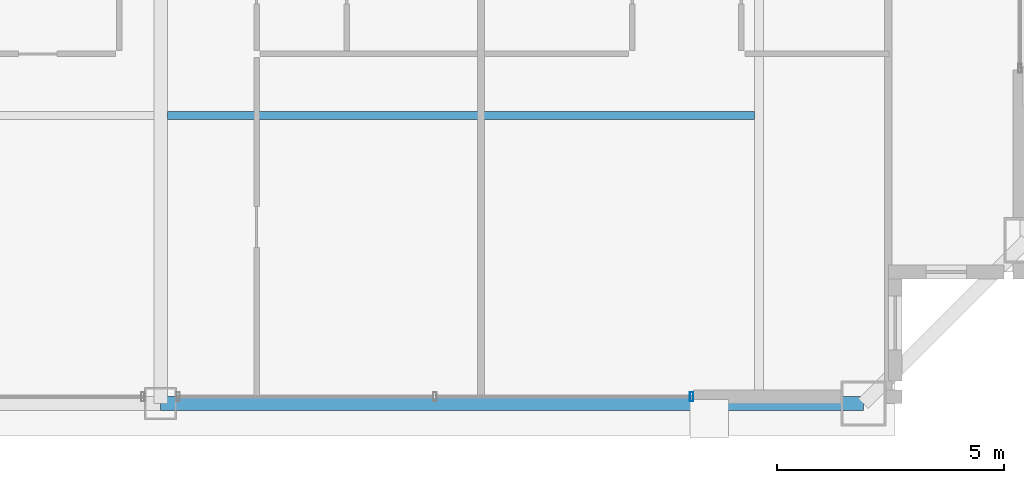
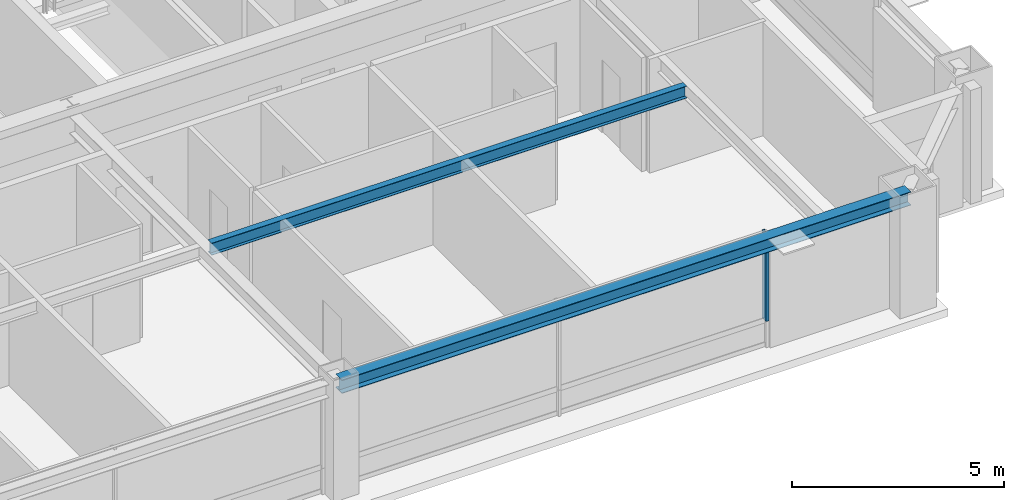
# One storey, part 9 of 35: 2 beams, 1 member, 1 element without a shape of its own.
"""IFC4 building model written with IfcOpenShell, lengths in metres."""

import ifcopenshell
import ifcopenshell.guid

model = None  # the IFC model being written
_history = None  # IfcOwnerHistory: only IFC2X3 demands one
_inside = {}  # id of a spatial element -> (the spatial element, [elements in it])
_under = {}  # id of a project, library or spatial element -> (it, [spatial elements below it])
_declared = {}  # id of a project -> (the project, [libraries it declares])
_typed = {}  # id of a type object -> (the type object, [elements of that type])
_made_of = {}  # id of a material, layer set ... -> (it, [elements and type objects made of it])


def new_model(schema):
    """Start an empty IFC model of exactly this schema.

    Asked for "IFC4X3", IfcOpenShell would pick the latest addendum, in which some entities
    have other attributes; the version numbers below select the first issue.
    IFC2X3 requires an IfcOwnerHistory on every rooted entity: one is made here for all.
    """
    global model, _history
    if schema == "IFC4X3":
        model = ifcopenshell.file(schema_version=(4, 3, 0, 0))
    else:
        model = ifcopenshell.file(schema=schema)
    _inside.clear()
    _under.clear()
    _declared.clear()
    _typed.clear()
    _made_of.clear()
    _history = None
    if model.schema == "IFC2X3":
        org = make("IfcOrganization", Name="unknown")
        user = make(
            "IfcPersonAndOrganization",
            ThePerson=make("IfcPerson", FamilyName="unknown"),
            TheOrganization=org,
        )
        app = make(
            "IfcApplication",
            ApplicationDeveloper=org,
            Version="unknown",
            ApplicationFullName="unknown",
            ApplicationIdentifier="unknown",
        )
        _history = make(
            "IfcOwnerHistory",
            OwningUser=user,
            OwningApplication=app,
            ChangeAction="ADDED",
            CreationDate=0,
        )
    return model


def make(cls, **values):
    """One entity of the class cls with the attributes given. An attribute that is None is left unset."""
    return model.create_entity(
        cls, **{name: value for name, value in values.items() if value is not None}
    )


def rooted(cls, **values):
    """An entity with a GlobalId (a new one), such as an element, a storey or a relation."""
    return make(cls, GlobalId=ifcopenshell.guid.new(), OwnerHistory=_history, **values)


def si_unit(unit_type, name, prefix=None):
    """IfcSIUnit, for example si_unit("LENGTHUNIT", "METRE", prefix="MILLI")."""
    return make("IfcSIUnit", UnitType=unit_type, Prefix=prefix, Name=name)


def assignment(units):
    """IfcUnitAssignment: the units of a project."""
    return None if units is None else make("IfcUnitAssignment", Units=units)


def point(xyz):
    """IfcCartesianPoint."""
    return None if xyz is None else make("IfcCartesianPoint", Coordinates=xyz)


def direction(xyz):
    """IfcDirection."""
    return None if xyz is None else make("IfcDirection", DirectionRatios=xyz)


def frame(location, z_axis=None, x_axis=None):
    """IfcAxis2Placement3D, a coordinate frame: its origin and axes. An axis left out is left unset."""
    return make(
        "IfcAxis2Placement3D",
        Location=point(location),
        Axis=direction(z_axis),
        RefDirection=direction(x_axis),
    )


def frame_2d(location, x_axis=None):
    """IfcAxis2Placement2D, a coordinate frame in the plane: its origin and x axis."""
    return make(
        "IfcAxis2Placement2D", Location=point(location), RefDirection=direction(x_axis)
    )


def origin():
    """The frame at (0, 0, 0) with its axes left unset."""
    return frame((0.0, 0.0, 0.0))


def origin_2d():
    """The frame at (0, 0) in the plane with its x axis left unset."""
    return frame_2d((0.0, 0.0))


def place(relative_to, where):
    """IfcLocalPlacement: puts the frame where relative to a parent placement (None: the world)."""
    return make(
        "IfcLocalPlacement", PlacementRelTo=relative_to, RelativePlacement=where
    )


def context(
    kind, dimensions, precision=None, world=None, true_north=None, identifier=None
):
    """IfcGeometricRepresentationContext, for example the 3D "Model" context."""
    return make(
        "IfcGeometricRepresentationContext",
        ContextIdentifier=identifier,
        ContextType=kind,
        CoordinateSpaceDimension=dimensions,
        Precision=precision,
        WorldCoordinateSystem=world,
        TrueNorth=true_north,
    )


def subcontext(parent, identifier, kind, view, scale=None):
    """IfcGeometricRepresentationSubContext, for example "Body" below "Model"."""
    return make(
        "IfcGeometricRepresentationSubContext",
        ContextIdentifier=identifier,
        ContextType=kind,
        ParentContext=parent,
        TargetScale=scale,
        TargetView=view,
    )


def project(units=None, contexts=None):
    """IfcProject with its units and contexts."""
    return rooted(
        "IfcProject",
        Name="project",
        RepresentationContexts=contexts,
        UnitsInContext=assignment(units),
    )


def spatial(cls, under=None, at=None, **own):
    """A site, building, storey or space (cls), placed at a placement, below another one or the project."""
    s = rooted(cls, ObjectPlacement=at, **own)
    if under is not None:
        _under.setdefault(under.id(), (under, []))[1].append(s)
    return s


def profile(cls, at=None, kind="AREA", **sizes):
    """A parametric profile (cls). Its sizes go by their IFC names, for example OverallWidth=200.0."""
    return make(cls, ProfileType=kind, Position=at, **sizes)


def hollow_rectangle(**sizes):
    """IfcRectangleHollowProfileDef."""
    return profile("IfcRectangleHollowProfileDef", **sizes)


def i_section(**sizes):
    """IfcIShapeProfileDef."""
    return profile("IfcIShapeProfileDef", **sizes)


def extrude(swept, where, along, depth):
    """IfcExtrudedAreaSolid: the profile swept, set in the frame where, extruded along a direction by depth."""
    return make(
        "IfcExtrudedAreaSolid",
        SweptArea=swept,
        Position=where,
        ExtrudedDirection=direction(along),
        Depth=depth,
    )


def shape(context_of_items, identifier, shape_type, items):
    """IfcShapeRepresentation: the items that make up one representation, for example the "Body"."""
    return make(
        "IfcShapeRepresentation",
        ContextOfItems=context_of_items,
        RepresentationIdentifier=identifier,
        RepresentationType=shape_type,
        Items=items,
    )


def source(mapping_origin, context_of_items, identifier, shape_type, items):
    """IfcRepresentationMap: a shape defined once, which mapped items show again and again."""
    return make(
        "IfcRepresentationMap",
        MappingOrigin=mapping_origin,
        MappedRepresentation=shape(context_of_items, identifier, shape_type, items),
    )


def transform(
    local_origin,
    x_axis=None,
    y_axis=None,
    z_axis=None,
    scale=None,
    scale2=None,
    scale3=None,
    uniform=True,
):
    """IfcCartesianTransformationOperator3D, or its non-uniform kind. x_axis, y_axis, z_axis: its Axis1, 2, 3."""
    if uniform:
        return make(
            "IfcCartesianTransformationOperator3D",
            Axis1=direction(x_axis),
            Axis2=direction(y_axis),
            LocalOrigin=point(local_origin),
            Scale=scale,
            Axis3=direction(z_axis),
        )
    return make(
        "IfcCartesianTransformationOperator3DnonUniform",
        Axis1=direction(x_axis),
        Axis2=direction(y_axis),
        LocalOrigin=point(local_origin),
        Scale=scale,
        Axis3=direction(z_axis),
        Scale2=scale2,
        Scale3=scale3,
    )


def mapped(mapping_source, mapping_target):
    """IfcMappedItem: shows the shape of a source again, moved by a transform."""
    return make(
        "IfcMappedItem", MappingSource=mapping_source, MappingTarget=mapping_target
    )


def material(Name=None, Category=None):
    """IfcMaterial."""
    return make("IfcMaterial", Name=Name, Category=Category)


def layer(
    of_material, thickness, ventilated=None, Name=None, Category=None, Priority=None
):
    """IfcMaterialLayer: one layer of a wall or slab, of a material (None: an air gap)."""
    return make(
        "IfcMaterialLayer",
        Material=of_material,
        LayerThickness=thickness,
        IsVentilated=ventilated,
        Name=Name,
        Category=Category,
        Priority=Priority,
    )


def layer_set(layers, Name=None):
    """IfcMaterialLayerSet."""
    return make("IfcMaterialLayerSet", MaterialLayers=layers, LayerSetName=Name)


def material_profile(
    of_material, cross_section, Name=None, Category=None, Priority=None
):
    """IfcMaterialProfile: a cross section and its material."""
    return make(
        "IfcMaterialProfile",
        Name=Name,
        Material=of_material,
        Profile=cross_section,
        Priority=Priority,
        Category=Category,
    )


def profile_set(profiles, Name=None, composite=None):
    """IfcMaterialProfileSet."""
    return make(
        "IfcMaterialProfileSet",
        Name=Name,
        MaterialProfiles=profiles,
        CompositeProfile=composite,
    )


def made_of(thing, what):
    """Note that an element or type object is made of a material, layer set ...; save() writes the relation."""
    if what is not None:
        _made_of.setdefault(what.id(), (what, []))[1].append(thing)
    return thing


def type_object(cls, material=None, **own):
    """A type object (cls), such as IfcWallType, which elements share."""
    return made_of(rooted(cls, **own), material)


def element(
    cls,
    number,
    at=None,
    inside=None,
    cuts=None,
    type_object=None,
    material=None,
    context=None,
    identifier="Body",
    shape_type=None,
    held_by="IfcProductDefinitionShape",
    body=None,
    shapes=None,
    **own,
):
    """One element of the class cls, such as IfcWall. Its Tag is "e" and its number.

    at: its placement. inside: the storey or other place that contains it. cuts: it is an
    opening in that element (IfcRelVoidsElement). A single representation is given by context,
    identifier, shape_type and body (its items); several are given by shapes. held_by: the class
    of the entity that holds the representations. save() writes the other relations.
    """
    e = rooted(cls, Tag="e%d" % number, ObjectPlacement=at, **own)
    if body is not None:
        shapes = [shape(context, identifier, shape_type, body)]
    if shapes is not None:
        e.Representation = make(held_by, Representations=shapes)
    if inside is not None:
        _inside.setdefault(inside.id(), (inside, []))[1].append(e)
    if cuts is not None:
        rooted(
            "IfcRelVoidsElement", RelatingBuildingElement=cuts, RelatedOpeningElement=e
        )
    if type_object is not None:
        _typed.setdefault(type_object.id(), (type_object, []))[1].append(e)
    return made_of(e, material)


def aggregate(whole, parts):
    """IfcRelAggregates: a whole, such as a stair, and the parts it consists of."""
    return rooted("IfcRelAggregates", RelatingObject=whole, RelatedObjects=parts)


def save(model, path):
    """Write the relations noted so far, then the file.

    IfcRelAggregates (storeys below a building ...), IfcRelContainedInSpatialStructure (elements
    in a storey), IfcRelDefinesByType, IfcRelAssociatesMaterial and IfcRelDeclares: one each for
    every whole, place, type object, material and project.
    """
    for whole, parts in _under.values():
        aggregate(whole, parts)
    for where, things in _inside.values():
        rooted(
            "IfcRelContainedInSpatialStructure",
            RelatedElements=things,
            RelatingStructure=where,
        )
    for kind, things in _typed.values():
        rooted("IfcRelDefinesByType", RelatedObjects=things, RelatingType=kind)
    for what, things in _made_of.values():
        rooted("IfcRelAssociatesMaterial", RelatedObjects=things, RelatingMaterial=what)
    for by, libraries in _declared.values():
        rooted("IfcRelDeclares", RelatingContext=by, RelatedDefinitions=libraries)
    model.write(path)


model = new_model("IFC4")

# Units and contexts
model_context = context("Model", 3, precision=1e-05, world=origin(), true_north=direction((0.0, 1.0)))
body_context = subcontext(model_context, "Body", "Model", "MODEL_VIEW")
ifc_project = project(units=[si_unit("LENGTHUNIT", "METRE"), si_unit("AREAUNIT", "SQUARE_METRE"), si_unit("VOLUMEUNIT", "CUBIC_METRE"), si_unit("PLANEANGLEUNIT", "RADIAN"), si_unit("MASSUNIT", "GRAM", prefix="KILO"), si_unit("THERMODYNAMICTEMPERATUREUNIT", "KELVIN"), si_unit("POWERUNIT", "WATT")], contexts=[model_context])

# Site, building, storey
site_placement = place(None, origin())
site = spatial("IfcSite", under=ifc_project, at=site_placement, CompositionType="ELEMENT")
building_placement = place(site_placement, origin())
building = spatial("IfcBuilding", under=site, at=building_placement, Name="Yuzanri Waterfront Tower", CompositionType="ELEMENT")
storey_placement = place(building_placement, frame((0.0, 0.0, 332.199951171875)))
storey = spatial("IfcBuildingStorey", under=building, at=storey_placement, Name="L89", CompositionType="ELEMENT", Elevation=332.199951171875)

# Beams
ifc_material_1 = material(Name="Steel Q355B", Category="steel")
ifc_material_profile_1 = material_profile(ifc_material_1, i_section(OverallWidth=0.175048828125, OverallDepth=0.35009765625, WebThickness=0.007080078125, FlangeThickness=0.010986328125, at=origin_2d()), Name="HN 350x175x7x11")
ifc_profile_set_1 = profile_set([ifc_material_profile_1], Name="Steel Q355B")
beam_type_1 = type_object("IfcBeamType", Name="Floor Joist Q355B HN 350x175", PredefinedType="JOIST", material=ifc_profile_set_1)
shared_shape_1 = source(origin(), body_context, "Body", "SweptSolid", [
    extrude(i_section(OverallWidth=0.175048828125, OverallDepth=0.35009765625, WebThickness=0.007080078125, FlangeThickness=0.010986328125, at=origin_2d()), origin(), (0.0, 0.0, 1.0), 12.9501953125),
])
beam_1_placement = place(storey_placement, frame((37.14990234375, 13.050048828125, 3.10498046875), z_axis=(1.0, 0.0, 0.0), x_axis=(0.0, 1.0, 0.0)))
element("IfcBeam", 1, at=beam_1_placement, inside=storey, type_object=beam_type_1, Name="L89 South Bay Joist E", PredefinedType="JOIST", context=body_context, shape_type="MappedRepresentation", body=[
    mapped(shared_shape_1, transform((0.0, 0.0, 0.0), scale=1.0)),
])
ifc_material_2 = material(Name="Steel Q355B", Category="steel")
ifc_material_profile_2 = material_profile(ifc_material_2, i_section(OverallWidth=0.300048828125, OverallDepth=0.389892578125, WebThickness=0.010009765625, FlangeThickness=0.01611328125, at=origin_2d()), Name="HM 390x300x10x16")
ifc_profile_set_2 = profile_set([ifc_material_profile_2], Name="Steel Q355B")
beam_type_2 = type_object("IfcBeamType", Name="Perimeter Spandrel Q355B HM 390x300", PredefinedType="SPANDREL", material=ifc_profile_set_2)
shared_shape_2 = source(origin(), body_context, "Body", "SweptSolid", [
    extrude(i_section(OverallWidth=0.300048828125, OverallDepth=0.389892578125, WebThickness=0.010009765625, FlangeThickness=0.01611328125, at=origin_2d()), origin(), (0.0, 0.0, 1.0), 15.5),
])
beam_2_placement = place(storey_placement, frame((37.0, 6.699951171875, 3.0849609375), z_axis=(1.0, 0.0, 0.0), x_axis=(0.0, 1.0, 0.0)))
element("IfcBeam", 2, at=beam_2_placement, inside=storey, type_object=beam_type_2, Name="L89 Perimeter Spandrel S2-S3", PredefinedType="SPANDREL", context=body_context, shape_type="MappedRepresentation", body=[
    mapped(shared_shape_2, transform((0.0, 0.0, 0.0), scale=1.0)),
])

# Curtain wall, member
ifc_material_3 = material(Name="Anodized Architectural Bronze", Category="metal")
ifc_layer = layer(ifc_material_3, 0.159912109375)
ifc_layer_set = layer_set([ifc_layer], Name="Anodized Architectural Bronze")
curtain_wall_type = type_object("IfcCurtainWallType", Name="Anodized Bronze High-Rise Penthouse High-Wind Unitized Curtain Wall 6900", PredefinedType="NOTDEFINED", material=ifc_layer_set)
curtain_wall_placement = place(storey_placement, origin())
curtain_wall = element("IfcCurtainWall", 3, at=curtain_wall_placement, inside=storey, type_object=curtain_wall_type, Name="L89 Curtain Wall CW-L89-SR", PredefinedType="NOTDEFINED")
ifc_material_4 = material(Name="Anodized Architectural Bronze", Category="metal")
ifc_material_profile_3 = material_profile(ifc_material_4, hollow_rectangle(XDim=0.074951171875, YDim=0.199951171875, WallThickness=0.00390625, at=origin_2d()), Name="CWM 75x200")
ifc_profile_set_3 = profile_set([ifc_material_profile_3], Name="Anodized Architectural Bronze")
member_type = type_object("IfcMemberType", Name="Anodized Bronze Primary Curtain-Wall Mullion 75x200", PredefinedType="MULLION", material=ifc_profile_set_3)
shared_shape_3 = source(origin(), body_context, "Body", "SweptSolid", [
    extrude(hollow_rectangle(XDim=0.074951171875, YDim=0.199951171875, WallThickness=0.00390625, at=origin_2d()), origin(), (0.0, 0.0, 1.0), 2.52392578125),
])
member_placement = place(storey_placement, frame((48.7099609375, 6.85009765625, 0.756103515625), z_axis=(0.0, 0.0, 1.0), x_axis=(1.0, 0.0, 0.0)))
member = element("IfcMember", 4, at=member_placement, type_object=member_type, Name="CW-L89-SR Upper Mullion 02", PredefinedType="MULLION", context=body_context, shape_type="MappedRepresentation", body=[
    mapped(shared_shape_3, transform((0.0, 0.0, 0.0), scale=1.0)),
])
aggregate(curtain_wall, [member])

save(model, "model.ifc")
